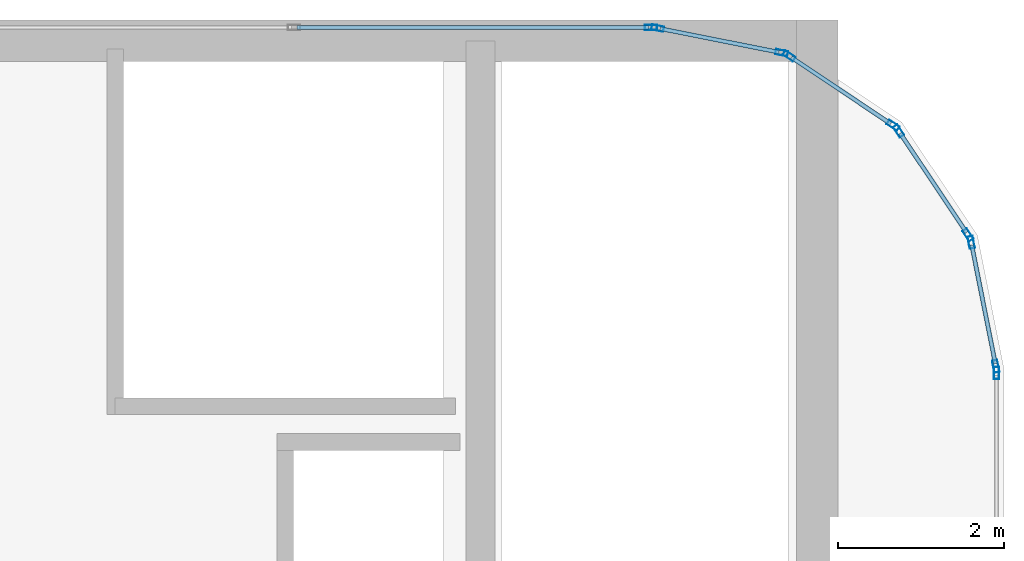
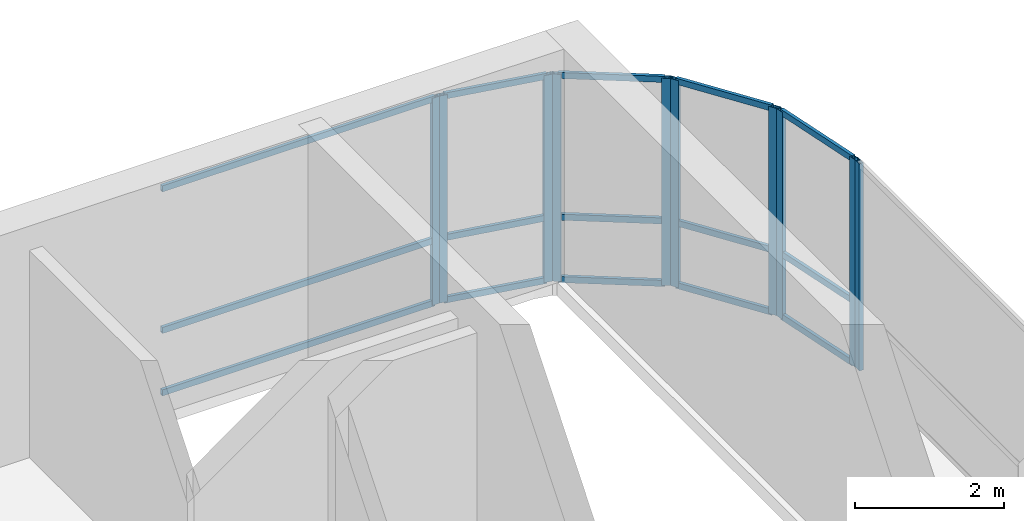
# One storey, part 28 of 35: 25 members, 6 elements without a shape of their own.
"""IFC4 building model written with IfcOpenShell, lengths in metres."""

from ifc_helpers import new_model, si_unit, direction, frame, origin, origin_2d, place, context, subcontext, project, spatial, hollow_rectangle, extrude, source, transform, mapped, material, layer, layer_set, material_profile, profile_set, type_object, type_shapes, element, aggregate, save


model = new_model("IFC4")

# Units and contexts
model_context = context("Model", 3, precision=1e-05, world=origin(), true_north=direction((0.0, 1.0)))
body_context = subcontext(model_context, "Body", "Model", "MODEL_VIEW")
ifc_project = project(units=[si_unit("LENGTHUNIT", "METRE"), si_unit("AREAUNIT", "SQUARE_METRE"), si_unit("VOLUMEUNIT", "CUBIC_METRE"), si_unit("PLANEANGLEUNIT", "RADIAN"), si_unit("MASSUNIT", "GRAM", prefix="KILO")], contexts=[model_context])

# Site, building, storey
site_placement = place(None, origin())
site = spatial("IfcSite", under=ifc_project, at=site_placement, CompositionType="ELEMENT")
building_placement = place(site_placement, origin())
building = spatial("IfcBuilding", under=site, at=building_placement, Name="Tolvann Quenvar Hotel", CompositionType="ELEMENT")
storey_placement = place(building_placement, frame((0.0, 0.0, 309.949951171875)))
storey = spatial("IfcBuildingStorey", under=building, at=storey_placement, Name="L82", CompositionType="ELEMENT", Elevation=309.949951171875)

# Curtain wall, members
ifc_material_1 = material(Name="Thermally broken anodised architectural aluminium 6063-T6 and laminated low-E glass", Category="aluminium")
ifc_layer = layer(ifc_material_1, 0.179931640625)
ifc_layer_set = layer_set([ifc_layer], Name="Thermally broken anodised architectural aluminium 6063-T6 and laminated low-E glass")
curtain_wall_type = type_object("IfcCurtainWallType", Name="CW_SYS_LANT_06", PredefinedType="USERDEFINED", material=ifc_layer_set)
curtain_wall_1_placement = place(storey_placement, origin())
curtain_wall_1 = element("IfcCurtainWall", 1, at=curtain_wall_1_placement, inside=storey, type_object=curtain_wall_type, Name="Curtain Wall CW-LANT-06 (CWR-L82-E11)", ObjectType="UNITISED CURTAIN WALL", PredefinedType="USERDEFINED")
ifc_material_2 = material(Name="Anodised architectural aluminium 6063-T6 framing", Category="aluminium")
ifc_material_profile_1 = material_profile(ifc_material_2, hollow_rectangle(XDim=0.050048828125, YDim=0.10009765625, WallThickness=0.0029296875, at=origin_2d()), Name="100x50x3RHS")
ifc_profile_set_1 = profile_set([ifc_material_profile_1], Name="Anodised architectural aluminium 6063-T6 framing")
member_type_1 = type_object("IfcMemberType", Name="CW_TRAN_100x50", PredefinedType="USERDEFINED", material=ifc_profile_set_1)
shared_shape_1 = source(origin(), body_context, "Body", "SweptSolid", [
    extrude(hollow_rectangle(XDim=0.050048828125, YDim=0.10009765625, WallThickness=0.0029296875, at=origin_2d()), origin(), (0.0, 0.0, 1.0), 1.439208984375),
])
member_1_placement = place(storey_placement, frame((37.550048828125, 41.64013671875, 0.025146484375), z_axis=(-0.555600315839, 0.831449510818, 0.0), x_axis=(-0.831449510818, -0.555600315839, 0.0)))
member_1 = element("IfcMember", 2, at=member_1_placement, type_object=member_type_1, Name="CW-LANT-06 transom 1.1", ObjectType="TRANSOM", PredefinedType="USERDEFINED", context=body_context, shape_type="MappedRepresentation", body=[
    mapped(shared_shape_1, transform((0.0, 0.0, 0.0), x_axis=(1.0, 0.0, 0.0), y_axis=(0.0, 1.0, 0.0), z_axis=(0.0, 0.0, 1.0), scale=1.0)),
])
member_2_placement = place(storey_placement, frame((37.550048828125, 41.64013671875, 1.050048828125), z_axis=(-0.555600315839, 0.831449510818, 0.0), x_axis=(-0.831449510818, -0.555600315839, 0.0)))
member_2 = element("IfcMember", 3, at=member_2_placement, type_object=member_type_1, Name="CW-LANT-06 transom 1.2", ObjectType="TRANSOM", PredefinedType="USERDEFINED", context=body_context, shape_type="MappedRepresentation", body=[
    mapped(shared_shape_1, transform((0.0, 0.0, 0.0), x_axis=(1.0, 0.0, 0.0), y_axis=(0.0, 1.0, 0.0), z_axis=(0.0, 0.0, 1.0), scale=1.0)),
])
member_3_placement = place(storey_placement, frame((37.550048828125, 41.64013671875, 3.375), z_axis=(-0.555600315839, 0.831449510818, 0.0), x_axis=(-0.831449510818, -0.555600315839, 0.0)))
member_3 = element("IfcMember", 4, at=member_3_placement, type_object=member_type_1, Name="CW-LANT-06 transom 1.3", ObjectType="TRANSOM", PredefinedType="USERDEFINED", context=body_context, shape_type="MappedRepresentation", body=[
    mapped(shared_shape_1, transform((0.0, 0.0, 0.0), x_axis=(1.0, 0.0, 0.0), y_axis=(0.0, 1.0, 0.0), z_axis=(0.0, 0.0, 1.0), scale=1.0)),
])

curtain_wall_2_placement = place(storey_placement, origin())
curtain_wall_2 = element("IfcCurtainWall", 5, at=curtain_wall_2_placement, inside=storey, type_object=curtain_wall_type, Name="Curtain Wall CW-LANT-06 (CWR-L82-E12)", ObjectType="UNITISED CURTAIN WALL", PredefinedType="USERDEFINED")
member_4_placement = place(storey_placement, frame((36.63671875, 42.950439453125, 0.025146484375), z_axis=(-0.831449510818, 0.555600315839, 0.0), x_axis=(-0.555600315839, -0.831449510818, 0.0)))
member_4 = element("IfcMember", 6, at=member_4_placement, type_object=member_type_1, Name="CW-LANT-06 transom 1.1", ObjectType="TRANSOM", PredefinedType="USERDEFINED", context=body_context, shape_type="MappedRepresentation", body=[
    mapped(shared_shape_1, transform((0.0, 0.0, 0.0), x_axis=(1.0, 0.0, 0.0), y_axis=(0.0, 1.0, 0.0), z_axis=(0.0, 0.0, 1.0), scale=1.0)),
])
member_5_placement = place(storey_placement, frame((36.63671875, 42.950439453125, 1.050048828125), z_axis=(-0.831449510818, 0.555600315839, 0.0), x_axis=(-0.555600315839, -0.831449510818, 0.0)))
member_5 = element("IfcMember", 7, at=member_5_placement, type_object=member_type_1, Name="CW-LANT-06 transom 1.2", ObjectType="TRANSOM", PredefinedType="USERDEFINED", context=body_context, shape_type="MappedRepresentation", body=[
    mapped(shared_shape_1, transform((0.0, 0.0, 0.0), x_axis=(1.0, 0.0, 0.0), y_axis=(0.0, 1.0, 0.0), z_axis=(0.0, 0.0, 1.0), scale=1.0)),
])
member_6_placement = place(storey_placement, frame((36.63671875, 42.950439453125, 3.375), z_axis=(-0.831449510818, 0.555600315839, 0.0), x_axis=(-0.555600315839, -0.831449510818, 0.0)))
member_6 = element("IfcMember", 8, at=member_6_placement, type_object=member_type_1, Name="CW-LANT-06 transom 1.3", ObjectType="TRANSOM", PredefinedType="USERDEFINED", context=body_context, shape_type="MappedRepresentation", body=[
    mapped(shared_shape_1, transform((0.0, 0.0, 0.0), x_axis=(1.0, 0.0, 0.0), y_axis=(0.0, 1.0, 0.0), z_axis=(0.0, 0.0, 1.0), scale=1.0)),
])

curtain_wall_3_placement = place(storey_placement, origin())
curtain_wall_3 = element("IfcCurtainWall", 9, at=curtain_wall_3_placement, inside=storey, type_object=curtain_wall_type, Name="Curtain Wall CW-LANT-06 (CWR-L82-E10)", ObjectType="UNITISED CURTAIN WALL", PredefinedType="USERDEFINED")
shared_shape_2 = source(origin(), body_context, "Body", "SweptSolid", [
    extrude(hollow_rectangle(XDim=0.050048828125, YDim=0.10009765625, WallThickness=0.0029296875, at=origin_2d()), origin(), (0.0, 0.0, 1.0), 1.456787109375),
])
member_7_placement = place(storey_placement, frame((37.895751953125, 40.063232421875, 0.025146484375), z_axis=(-0.195084651288, 0.980786408364, 0.0), x_axis=(-0.980786408364, -0.195084651288, 0.0)))
member_7 = element("IfcMember", 10, at=member_7_placement, type_object=member_type_1, Name="CW-LANT-06 transom 1.1", ObjectType="TRANSOM", PredefinedType="USERDEFINED", context=body_context, shape_type="MappedRepresentation", body=[
    mapped(shared_shape_2, transform((0.0, 0.0, 0.0), x_axis=(1.0, 0.0, 0.0), y_axis=(0.0, 1.0, 0.0), z_axis=(0.0, 0.0, 1.0), scale=1.0)),
])
member_8_placement = place(storey_placement, frame((37.895751953125, 40.063232421875, 1.050048828125), z_axis=(-0.195084651288, 0.980786408364, 0.0), x_axis=(-0.980786408364, -0.195084651288, 0.0)))
member_8 = element("IfcMember", 11, at=member_8_placement, type_object=member_type_1, Name="CW-LANT-06 transom 1.2", ObjectType="TRANSOM", PredefinedType="USERDEFINED", context=body_context, shape_type="MappedRepresentation", body=[
    mapped(shared_shape_2, transform((0.0, 0.0, 0.0), x_axis=(1.0, 0.0, 0.0), y_axis=(0.0, 1.0, 0.0), z_axis=(0.0, 0.0, 1.0), scale=1.0)),
])
member_9_placement = place(storey_placement, frame((37.895751953125, 40.063232421875, 3.375), z_axis=(-0.195084651288, 0.980786408364, 0.0), x_axis=(-0.980786408364, -0.195084651288, 0.0)))
member_9 = element("IfcMember", 12, at=member_9_placement, type_object=member_type_1, Name="CW-LANT-06 transom 1.3", ObjectType="TRANSOM", PredefinedType="USERDEFINED", context=body_context, shape_type="MappedRepresentation", body=[
    mapped(shared_shape_2, transform((0.0, 0.0, 0.0), x_axis=(1.0, 0.0, 0.0), y_axis=(0.0, 1.0, 0.0), z_axis=(0.0, 0.0, 1.0), scale=1.0)),
])

curtain_wall_4_placement = place(storey_placement, origin())
curtain_wall_4 = element("IfcCurtainWall", 13, at=curtain_wall_4_placement, inside=storey, type_object=curtain_wall_type, Name="Curtain Wall CW-LANT-06 (CWR-L82-E13)", ObjectType="UNITISED CURTAIN WALL", PredefinedType="USERDEFINED")
member_10_placement = place(storey_placement, frame((35.291748046875, 43.8115234375, 0.025146484375), z_axis=(-0.980786408364, 0.195084651288, 0.0), x_axis=(-0.195084651288, -0.980786408364, 0.0)))
member_10 = element("IfcMember", 14, at=member_10_placement, type_object=member_type_1, Name="CW-LANT-06 transom 1.1", ObjectType="TRANSOM", PredefinedType="USERDEFINED", context=body_context, shape_type="MappedRepresentation", body=[
    mapped(shared_shape_2, transform((0.0, 0.0, 0.0), x_axis=(1.0, 0.0, 0.0), y_axis=(0.0, 1.0, 0.0), z_axis=(0.0, 0.0, 1.0), scale=1.0)),
])
member_11_placement = place(storey_placement, frame((35.291748046875, 43.8115234375, 1.050048828125), z_axis=(-0.980786408364, 0.195084651288, 0.0), x_axis=(-0.195084651288, -0.980786408364, 0.0)))
member_11 = element("IfcMember", 15, at=member_11_placement, type_object=member_type_1, Name="CW-LANT-06 transom 1.2", ObjectType="TRANSOM", PredefinedType="USERDEFINED", context=body_context, shape_type="MappedRepresentation", body=[
    mapped(shared_shape_2, transform((0.0, 0.0, 0.0), x_axis=(1.0, 0.0, 0.0), y_axis=(0.0, 1.0, 0.0), z_axis=(0.0, 0.0, 1.0), scale=1.0)),
])
member_12_placement = place(storey_placement, frame((35.291748046875, 43.8115234375, 3.375), z_axis=(-0.980786408364, 0.195084651288, 0.0), x_axis=(-0.195084651288, -0.980786408364, 0.0)))
member_12 = element("IfcMember", 16, at=member_12_placement, type_object=member_type_1, Name="CW-LANT-06 transom 1.3", ObjectType="TRANSOM", PredefinedType="USERDEFINED", context=body_context, shape_type="MappedRepresentation", body=[
    mapped(shared_shape_2, transform((0.0, 0.0, 0.0), x_axis=(1.0, 0.0, 0.0), y_axis=(0.0, 1.0, 0.0), z_axis=(0.0, 0.0, 1.0), scale=1.0)),
])

curtain_wall_5_placement = place(storey_placement, origin())
curtain_wall_5 = element("IfcCurtainWall", 17, at=curtain_wall_5_placement, inside=storey, type_object=curtain_wall_type, Name="Curtain Wall CW-LANT-06 (CWR-L82-E14)", ObjectType="UNITISED CURTAIN WALL", PredefinedType="USERDEFINED")
shared_shape_3 = source(origin(), body_context, "Body", "SweptSolid", [
    extrude(hollow_rectangle(XDim=0.050048828125, YDim=0.10009765625, WallThickness=0.0029296875, at=origin_2d()), origin(), (0.0, 0.0, 1.0), 4.22998046875),
])
type_shapes(member_type_1, [shared_shape_1, shared_shape_2, shared_shape_3])
member_13_placement = place(storey_placement, frame((33.7177734375, 44.110107421875, 0.025146484375), z_axis=(-1.0, 0.0, 0.0), x_axis=(0.0, -1.0, 0.0)))
member_13 = element("IfcMember", 18, at=member_13_placement, type_object=member_type_1, Name="CW-LANT-06 transom 1.1", ObjectType="TRANSOM", PredefinedType="USERDEFINED", context=body_context, shape_type="MappedRepresentation", body=[
    mapped(shared_shape_3, transform((0.0, 0.0, 0.0), x_axis=(1.0, 0.0, 0.0), y_axis=(0.0, 1.0, 0.0), z_axis=(0.0, 0.0, 1.0), scale=1.0)),
])
member_14_placement = place(storey_placement, frame((33.7177734375, 44.110107421875, 1.050048828125), z_axis=(-1.0, 0.0, 0.0), x_axis=(0.0, -1.0, 0.0)))
member_14 = element("IfcMember", 19, at=member_14_placement, type_object=member_type_1, Name="CW-LANT-06 transom 1.2", ObjectType="TRANSOM", PredefinedType="USERDEFINED", context=body_context, shape_type="MappedRepresentation", body=[
    mapped(shared_shape_3, transform((0.0, 0.0, 0.0), x_axis=(1.0, 0.0, 0.0), y_axis=(0.0, 1.0, 0.0), z_axis=(0.0, 0.0, 1.0), scale=1.0)),
])
member_15_placement = place(storey_placement, frame((33.7177734375, 44.110107421875, 3.375), z_axis=(-1.0, 0.0, 0.0), x_axis=(0.0, -1.0, 0.0)))
member_15 = element("IfcMember", 20, at=member_15_placement, type_object=member_type_1, Name="CW-LANT-06 transom 1.3", ObjectType="TRANSOM", PredefinedType="USERDEFINED", context=body_context, shape_type="MappedRepresentation", body=[
    mapped(shared_shape_3, transform((0.0, 0.0, 0.0), x_axis=(1.0, 0.0, 0.0), y_axis=(0.0, 1.0, 0.0), z_axis=(0.0, 0.0, 1.0), scale=1.0)),
])

# Curtain wall, member
curtain_wall_6_placement = place(storey_placement, origin())
curtain_wall_6 = element("IfcCurtainWall", 21, at=curtain_wall_6_placement, inside=storey, type_object=curtain_wall_type, Name="Curtain Wall CW-LANT-06 (CWR-L82-E09)", ObjectType="UNITISED CURTAIN WALL", PredefinedType="USERDEFINED")
ifc_material_profile_2 = material_profile(ifc_material_2, hollow_rectangle(XDim=0.06494140625, YDim=0.14990234375, WallThickness=0.00390625, at=origin_2d()), Name="150x65x4RHS")
ifc_profile_set_2 = profile_set([ifc_material_profile_2], Name="Anodised architectural aluminium 6063-T6 framing")
member_type_2 = type_object("IfcMemberType", Name="CW_MULL_150x65", PredefinedType="MULLION", material=ifc_profile_set_2)
shared_shape_4 = source(origin(), body_context, "Body", "SweptSolid", [
    extrude(hollow_rectangle(XDim=0.06494140625, YDim=0.14990234375, WallThickness=0.00390625, at=origin_2d()), origin(), (0.0, 0.0, 1.0), 3.400146484375),
])
type_shapes(member_type_2, [shared_shape_4])
member_16_placement = place(storey_placement, frame((37.909912109375, 39.9501953125, 0.0), z_axis=(0.0, 0.0, 1.0), x_axis=(-1.0, 0.0, 0.0)))
member_16 = element("IfcMember", 22, at=member_16_placement, type_object=member_type_2, Name="CW-LANT-06 mullion 7", PredefinedType="MULLION", context=body_context, shape_type="MappedRepresentation", body=[
    mapped(shared_shape_4, transform((0.0, 0.0, 0.0), x_axis=(1.0, 0.0, 0.0), y_axis=(0.0, 1.0, 0.0), z_axis=(0.0, 0.0, 1.0), scale=1.0)),
])
aggregate(curtain_wall_6, [member_16])

# Member
member_17_placement = place(storey_placement, frame((37.902099609375, 40.03125, 0.0), z_axis=(0.0, 0.0, 1.0), x_axis=(-0.980790999222, -0.195061569369, 0.0)))
member_17 = element("IfcMember", 23, at=member_17_placement, type_object=member_type_2, Name="CW-LANT-06 mullion 1", PredefinedType="MULLION", context=body_context, shape_type="MappedRepresentation", body=[
    mapped(shared_shape_4, transform((0.0, 0.0, 0.0), x_axis=(1.0, 0.0, 0.0), y_axis=(0.0, 1.0, 0.0), z_axis=(0.0, 0.0, 1.0), scale=1.0)),
])

member_18_placement = place(storey_placement, frame((37.605224609375, 41.523681640625, 0.0), z_axis=(0.0, 0.0, 1.0), x_axis=(-0.980790999222, -0.195061569369, 0.0)))
member_18 = element("IfcMember", 24, at=member_18_placement, type_object=member_type_2, Name="CW-LANT-06 mullion 2", PredefinedType="MULLION", context=body_context, shape_type="MappedRepresentation", body=[
    mapped(shared_shape_4, transform((0.0, 0.0, 0.0), x_axis=(1.0, 0.0, 0.0), y_axis=(0.0, 1.0, 0.0), z_axis=(0.0, 0.0, 1.0), scale=1.0)),
])

aggregate(curtain_wall_3, [member_17, member_18, member_7, member_8, member_9])

member_19_placement = place(storey_placement, frame((37.568115234375, 41.61328125, 0.0), z_axis=(0.0, 0.0, 1.0), x_axis=(-0.831412452193, -0.555655769644, 0.0)))
member_19 = element("IfcMember", 25, at=member_19_placement, type_object=member_type_2, Name="CW-LANT-06 mullion 1", PredefinedType="MULLION", context=body_context, shape_type="MappedRepresentation", body=[
    mapped(shared_shape_4, transform((0.0, 0.0, 0.0), x_axis=(1.0, 0.0, 0.0), y_axis=(0.0, 1.0, 0.0), z_axis=(0.0, 0.0, 1.0), scale=1.0)),
])

member_20_placement = place(storey_placement, frame((36.732421875, 42.86376953125, 0.0), z_axis=(0.0, 0.0, 1.0), x_axis=(-0.831412452193, -0.555655769644, 0.0)))
member_20 = element("IfcMember", 26, at=member_20_placement, type_object=member_type_2, Name="CW-LANT-06 mullion 2", PredefinedType="MULLION", context=body_context, shape_type="MappedRepresentation", body=[
    mapped(shared_shape_4, transform((0.0, 0.0, 0.0), x_axis=(1.0, 0.0, 0.0), y_axis=(0.0, 1.0, 0.0), z_axis=(0.0, 0.0, 1.0), scale=1.0)),
])

aggregate(curtain_wall_1, [member_19, member_20, member_1, member_2, member_3])

member_21_placement = place(storey_placement, frame((36.663818359375, 42.932373046875, 0.0), z_axis=(0.0, 0.0, 1.0), x_axis=(-0.555655769644, -0.831412452193, 0.0)))
member_21 = element("IfcMember", 27, at=member_21_placement, type_object=member_type_2, Name="CW-LANT-06 mullion 1", PredefinedType="MULLION", context=body_context, shape_type="MappedRepresentation", body=[
    mapped(shared_shape_4, transform((0.0, 0.0, 0.0), x_axis=(1.0, 0.0, 0.0), y_axis=(0.0, 1.0, 0.0), z_axis=(0.0, 0.0, 1.0), scale=1.0)),
])

member_22_placement = place(storey_placement, frame((35.413330078125, 43.76806640625, 0.0), z_axis=(0.0, 0.0, 1.0), x_axis=(-0.555655769644, -0.831412452193, 0.0)))
member_22 = element("IfcMember", 28, at=member_22_placement, type_object=member_type_2, Name="CW-LANT-06 mullion 2", PredefinedType="MULLION", context=body_context, shape_type="MappedRepresentation", body=[
    mapped(shared_shape_4, transform((0.0, 0.0, 0.0), x_axis=(1.0, 0.0, 0.0), y_axis=(0.0, 1.0, 0.0), z_axis=(0.0, 0.0, 1.0), scale=1.0)),
])

aggregate(curtain_wall_2, [member_21, member_22, member_4, member_5, member_6])

member_23_placement = place(storey_placement, frame((35.32373046875, 43.80517578125, 0.0), z_axis=(0.0, 0.0, 1.0), x_axis=(-0.195061569369, -0.980790999222, 0.0)))
member_23 = element("IfcMember", 29, at=member_23_placement, type_object=member_type_2, Name="CW-LANT-06 mullion 1", PredefinedType="MULLION", context=body_context, shape_type="MappedRepresentation", body=[
    mapped(shared_shape_4, transform((0.0, 0.0, 0.0), x_axis=(1.0, 0.0, 0.0), y_axis=(0.0, 1.0, 0.0), z_axis=(0.0, 0.0, 1.0), scale=1.0)),
])

member_24_placement = place(storey_placement, frame((33.831298828125, 44.10205078125, 0.0), z_axis=(0.0, 0.0, 1.0), x_axis=(-0.195061569369, -0.980790999222, 0.0)))
member_24 = element("IfcMember", 30, at=member_24_placement, type_object=member_type_2, Name="CW-LANT-06 mullion 2", PredefinedType="MULLION", context=body_context, shape_type="MappedRepresentation", body=[
    mapped(shared_shape_4, transform((0.0, 0.0, 0.0), x_axis=(1.0, 0.0, 0.0), y_axis=(0.0, 1.0, 0.0), z_axis=(0.0, 0.0, 1.0), scale=1.0)),
])

aggregate(curtain_wall_4, [member_23, member_24, member_10, member_11, member_12])

member_25_placement = place(storey_placement, frame((33.750244140625, 44.110107421875, 0.0), z_axis=(0.0, 0.0, 1.0), x_axis=(0.0, -1.0, 0.0)))
member_25 = element("IfcMember", 31, at=member_25_placement, type_object=member_type_2, Name="CW-LANT-06 mullion 1", PredefinedType="MULLION", context=body_context, shape_type="MappedRepresentation", body=[
    mapped(shared_shape_4, transform((0.0, 0.0, 0.0), x_axis=(1.0, 0.0, 0.0), y_axis=(0.0, 1.0, 0.0), z_axis=(0.0, 0.0, 1.0), scale=1.0)),
])

aggregate(curtain_wall_5, [member_25, member_13, member_14, member_15])

save(model, "model.ifc")
